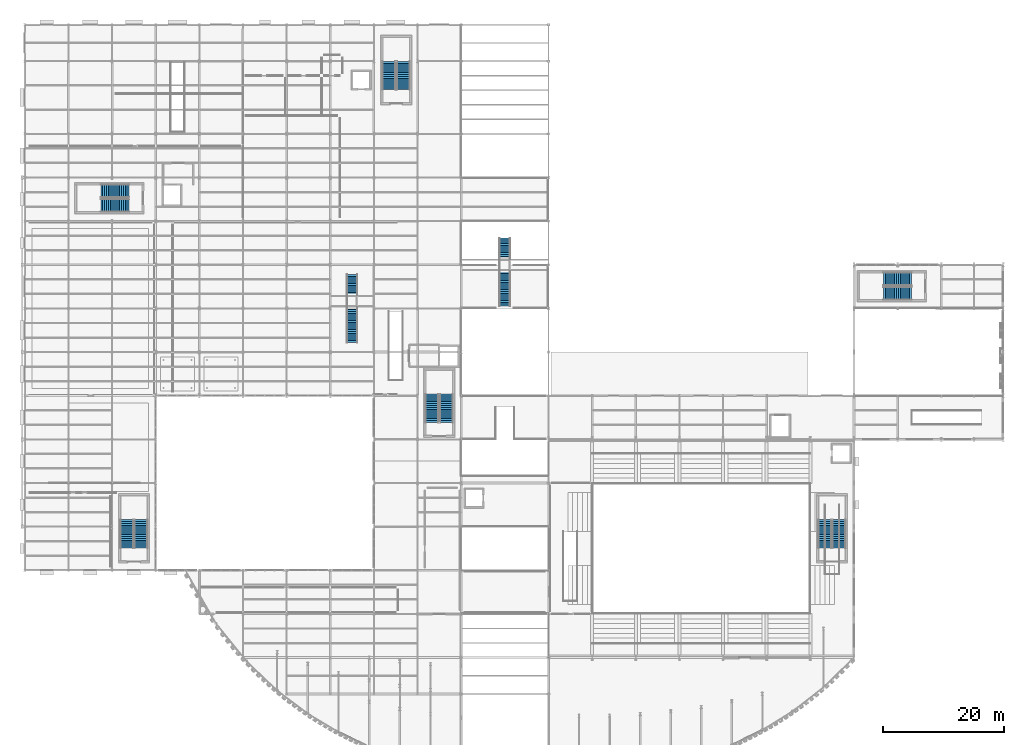
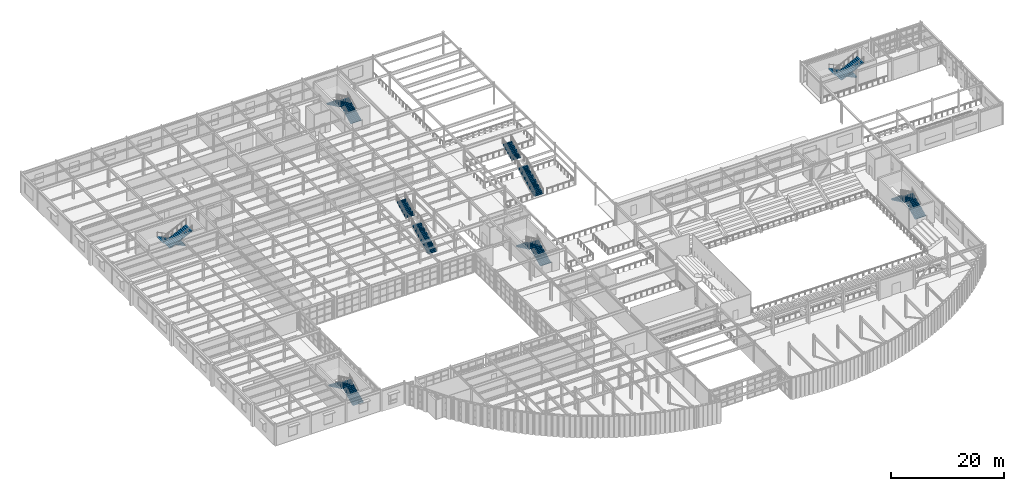
# One storey, part 100 of 121: 16 stair flights, 8 elements without a shape of their own.
"""IFC4 building model written with IfcOpenShell, lengths in metres."""

from ifc_helpers import new_model, si_unit, direction, frame, origin, place, context, subcontext, project, spatial, polyline, outline, extrude, material, type_object, element, aggregate, save


model = new_model("IFC4")

# Units and contexts
model_context = context("Model", 3, precision=1e-05, world=origin(), true_north=direction((0.0, 1.0)))
body_context = subcontext(model_context, "Body", "Model", "MODEL_VIEW")
ifc_project = project(units=[si_unit("LENGTHUNIT", "METRE"), si_unit("AREAUNIT", "SQUARE_METRE"), si_unit("VOLUMEUNIT", "CUBIC_METRE"), si_unit("PLANEANGLEUNIT", "RADIAN"), si_unit("MASSUNIT", "GRAM", prefix="KILO")], contexts=[model_context])

# Site, building, storey
site_placement = place(None, origin())
site = spatial("IfcSite", under=ifc_project, at=site_placement, CompositionType="ELEMENT")
building_placement = place(site_placement, origin())
building = spatial("IfcBuilding", under=site, at=building_placement, Name="Solvadek Multi-Sports Hall", CompositionType="ELEMENT")
storey_placement = place(building_placement, frame((0.0, 0.0, 4.800048828125)))
storey = spatial("IfcBuildingStorey", under=building, at=storey_placement, Name="L01", CompositionType="ELEMENT", Elevation=4.800048828125)

# Stair, stair flights
ifc_material_1 = material(Name="Concrete M35", Category="concrete")
stair_type_1 = type_object("IfcStairType", Name="INT-STR-DOG220", PredefinedType="USERDEFINED", material=ifc_material_1)
stair_1_placement = place(storey_placement, origin())
stair_1 = element("IfcStair", 1, at=stair_1_placement, inside=storey, type_object=stair_type_1, Name="L01 Exit Stair Core ST-01 (SW Crescent)", ObjectType="TWO_RUN_STAIR", PredefinedType="USERDEFINED")
stair_flight_type_1 = type_object("IfcStairFlightType", Name="INT-FLT-RC220", PredefinedType="STRAIGHT", material=ifc_material_1)
stair_flight_1_placement = place(storey_placement, frame((19.199951171875, 24.10009765625, 0.0), z_axis=(0.0, 0.0, 1.0), x_axis=(0.0, 1.0, 0.0)))
stair_flight_1 = element("IfcStairFlight", 2, at=stair_flight_1_placement, type_object=stair_flight_type_1, Name="ST-01 flight 1", NumberOfRisers=16, NumberOfTreads=15, PredefinedType="STRAIGHT", RiserHeight=0.15, TreadLength=0.31, context=body_context, shape_type="SweptSolid", body=[
    extrude(outline(polyline([(0.0, 0.0), (0.0, 0.14990234375), (0.31005859375, 0.14990234375), (0.31005859375, 0.300048828125), (0.6201171875, 0.300048828125), (0.6201171875, 0.449951171875), (0.929931640625, 0.449951171875), (0.929931640625, 0.60009765625), (1.239990234375, 0.60009765625), (1.239990234375, 0.75), (1.550048828125, 0.75), (1.550048828125, 0.89990234375), (1.860107421875, 0.89990234375), (1.860107421875, 1.050048828125), (2.169921875, 1.050048828125), (2.169921875, 1.199951171875), (2.47998046875, 1.199951171875), (2.47998046875, 1.35009765625), (2.7900390625, 1.35009765625), (2.7900390625, 1.5), (3.10009765625, 1.5), (3.10009765625, 1.64990234375), (3.409912109375, 1.64990234375), (3.409912109375, 1.800048828125), (3.719970703125, 1.800048828125), (3.719970703125, 1.949951171875), (4.030029296875, 1.949951171875), (4.030029296875, 2.10009765625), (4.340087890625, 2.10009765625), (4.340087890625, 2.25), (4.64990234375, 2.25), (4.64990234375, 2.39990234375), (4.64990234375, 2.08349609375), (0.34423828125, 0.0), (0.0, 0.0)])), frame((0.0, 1.10009765625, 0.0), z_axis=(0.0, -1.0, 0.0), x_axis=(1.0, 0.0, 0.0)), (0.0, 0.0, 1.0), 2.199951171875),
])
stair_flight_2_placement = place(storey_placement, frame((16.85009765625, 28.75, 2.39990234375), z_axis=(0.0, 0.0, 1.0), x_axis=(0.0, -1.0, 0.0)))
stair_flight_2 = element("IfcStairFlight", 3, at=stair_flight_2_placement, type_object=stair_flight_type_1, Name="ST-01 flight 2", NumberOfRisers=16, NumberOfTreads=15, PredefinedType="STRAIGHT", RiserHeight=0.15, TreadLength=0.31, context=body_context, shape_type="SweptSolid", body=[
    extrude(outline(polyline([(0.0, 0.0), (0.0, 0.14990234375), (0.31005859375, 0.14990234375), (0.31005859375, 0.300048828125), (0.6201171875, 0.300048828125), (0.6201171875, 0.449951171875), (0.929931640625, 0.449951171875), (0.929931640625, 0.60009765625), (1.239990234375, 0.60009765625), (1.239990234375, 0.75), (1.550048828125, 0.75), (1.550048828125, 0.89990234375), (1.860107421875, 0.89990234375), (1.860107421875, 1.050048828125), (2.169921875, 1.050048828125), (2.169921875, 1.199951171875), (2.47998046875, 1.199951171875), (2.47998046875, 1.35009765625), (2.7900390625, 1.35009765625), (2.7900390625, 1.5), (3.10009765625, 1.5), (3.10009765625, 1.64990234375), (3.409912109375, 1.64990234375), (3.409912109375, 1.800048828125), (3.719970703125, 1.800048828125), (3.719970703125, 1.949951171875), (4.030029296875, 1.949951171875), (4.030029296875, 2.10009765625), (4.340087890625, 2.10009765625), (4.340087890625, 2.25), (4.64990234375, 2.25), (4.64990234375, 2.39990234375), (4.64990234375, 2.08349609375), (0.34423828125, 0.0), (0.0, 0.0)])), frame((0.0, 1.10009765625, 0.0), z_axis=(0.0, -1.0, 0.0), x_axis=(1.0, 0.0, 0.0)), (0.0, 0.0, 1.0), 2.199951171875),
])
aggregate(stair_1, [stair_flight_1, stair_flight_2])

stair_2_placement = place(storey_placement, origin())
stair_2 = element("IfcStair", 4, at=stair_2_placement, inside=storey, type_object=stair_type_1, Name="L01 Exit Stair Core ST-02 (NW Track Headhouse)", ObjectType="TWO_RUN_STAIR", PredefinedType="USERDEFINED")
stair_flight_3_placement = place(storey_placement, frame((17.199951171875, 82.949951171875, 0.0), z_axis=(0.0, 0.0, 1.0), x_axis=(-1.0, 0.0, 0.0)))
stair_flight_3 = element("IfcStairFlight", 5, at=stair_flight_3_placement, type_object=stair_flight_type_1, Name="ST-02 flight 1", NumberOfRisers=16, NumberOfTreads=15, PredefinedType="STRAIGHT", RiserHeight=0.15, TreadLength=0.31, context=body_context, shape_type="SweptSolid", body=[
    extrude(outline(polyline([(0.0, 0.0), (0.0, 0.14990234375), (0.31005859375, 0.14990234375), (0.31005859375, 0.300048828125), (0.6201171875, 0.300048828125), (0.6201171875, 0.449951171875), (0.929931640625, 0.449951171875), (0.929931640625, 0.60009765625), (1.239990234375, 0.60009765625), (1.239990234375, 0.75), (1.550048828125, 0.75), (1.550048828125, 0.89990234375), (1.860107421875, 0.89990234375), (1.860107421875, 1.050048828125), (2.169921875, 1.050048828125), (2.169921875, 1.199951171875), (2.47998046875, 1.199951171875), (2.47998046875, 1.35009765625), (2.7900390625, 1.35009765625), (2.7900390625, 1.5), (3.10009765625, 1.5), (3.10009765625, 1.64990234375), (3.409912109375, 1.64990234375), (3.409912109375, 1.800048828125), (3.719970703125, 1.800048828125), (3.719970703125, 1.949951171875), (4.030029296875, 1.949951171875), (4.030029296875, 2.10009765625), (4.340087890625, 2.10009765625), (4.340087890625, 2.25), (4.64990234375, 2.25), (4.64990234375, 2.39990234375), (4.64990234375, 2.08349609375), (0.34423828125, 0.0), (0.0, 0.0)])), frame((0.0, 1.10009765625, 0.0), z_axis=(0.0, -1.0, 0.0), x_axis=(1.0, 0.0, 0.0)), (0.0, 0.0, 1.0), 2.199951171875),
])
stair_flight_4_placement = place(storey_placement, frame((12.550048828125, 80.60009765625, 2.39990234375), z_axis=(0.0, 0.0, 1.0), x_axis=(1.0, 0.0, 0.0)))
stair_flight_4 = element("IfcStairFlight", 6, at=stair_flight_4_placement, type_object=stair_flight_type_1, Name="ST-02 flight 2", NumberOfRisers=16, NumberOfTreads=15, PredefinedType="STRAIGHT", RiserHeight=0.15, TreadLength=0.31, context=body_context, shape_type="SweptSolid", body=[
    extrude(outline(polyline([(0.0, 0.0), (0.0, 0.14990234375), (0.31005859375, 0.14990234375), (0.31005859375, 0.300048828125), (0.6201171875, 0.300048828125), (0.6201171875, 0.449951171875), (0.929931640625, 0.449951171875), (0.929931640625, 0.60009765625), (1.239990234375, 0.60009765625), (1.239990234375, 0.75), (1.550048828125, 0.75), (1.550048828125, 0.89990234375), (1.860107421875, 0.89990234375), (1.860107421875, 1.050048828125), (2.169921875, 1.050048828125), (2.169921875, 1.199951171875), (2.47998046875, 1.199951171875), (2.47998046875, 1.35009765625), (2.7900390625, 1.35009765625), (2.7900390625, 1.5), (3.10009765625, 1.5), (3.10009765625, 1.64990234375), (3.409912109375, 1.64990234375), (3.409912109375, 1.800048828125), (3.719970703125, 1.800048828125), (3.719970703125, 1.949951171875), (4.030029296875, 1.949951171875), (4.030029296875, 2.10009765625), (4.340087890625, 2.10009765625), (4.340087890625, 2.25), (4.64990234375, 2.25), (4.64990234375, 2.39990234375), (4.64990234375, 2.08349609375), (0.34423828125, 0.0), (0.0, 0.0)])), frame((0.0, 1.10009765625, 0.0), z_axis=(0.0, -1.0, 0.0), x_axis=(1.0, 0.0, 0.0)), (0.0, 0.0, 1.0), 2.199951171875),
])
aggregate(stair_2, [stair_flight_3, stair_flight_4])

stair_3_placement = place(storey_placement, origin())
stair_3 = element("IfcStair", 7, at=stair_3_placement, inside=storey, type_object=stair_type_1, Name="L01 Exit Stair Core ST-03 (North Avenue Podium)", ObjectType="TWO_RUN_STAIR", PredefinedType="USERDEFINED")
stair_flight_5_placement = place(storey_placement, frame((62.449951171875, 99.699951171875, 0.0), z_axis=(0.0, 0.0, 1.0), x_axis=(0.0, 1.0, 0.0)))
stair_flight_5 = element("IfcStairFlight", 8, at=stair_flight_5_placement, type_object=stair_flight_type_1, Name="ST-03 flight 1", NumberOfRisers=16, NumberOfTreads=15, PredefinedType="STRAIGHT", RiserHeight=0.15, TreadLength=0.31, context=body_context, shape_type="SweptSolid", body=[
    extrude(outline(polyline([(0.0, 0.0), (0.0, 0.14990234375), (0.31005859375, 0.14990234375), (0.31005859375, 0.300048828125), (0.6201171875, 0.300048828125), (0.6201171875, 0.449951171875), (0.929931640625, 0.449951171875), (0.929931640625, 0.60009765625), (1.239990234375, 0.60009765625), (1.239990234375, 0.75), (1.550048828125, 0.75), (1.550048828125, 0.89990234375), (1.860107421875, 0.89990234375), (1.860107421875, 1.050048828125), (2.169921875, 1.050048828125), (2.169921875, 1.199951171875), (2.47998046875, 1.199951171875), (2.47998046875, 1.35009765625), (2.7900390625, 1.35009765625), (2.7900390625, 1.5), (3.10009765625, 1.5), (3.10009765625, 1.64990234375), (3.409912109375, 1.64990234375), (3.409912109375, 1.800048828125), (3.719970703125, 1.800048828125), (3.719970703125, 1.949951171875), (4.030029296875, 1.949951171875), (4.030029296875, 2.10009765625), (4.340087890625, 2.10009765625), (4.340087890625, 2.25), (4.64990234375, 2.25), (4.64990234375, 2.39990234375), (4.64990234375, 2.08349609375), (0.34423828125, 0.0), (0.0, 0.0)])), frame((0.0, 1.10009765625, 0.0), z_axis=(0.0, -1.0, 0.0), x_axis=(1.0, 0.0, 0.0)), (0.0, 0.0, 1.0), 2.199951171875),
])
stair_flight_6_placement = place(storey_placement, frame((60.10009765625, 104.35009765625, 2.39990234375), z_axis=(0.0, 0.0, 1.0), x_axis=(0.0, -1.0, 0.0)))
stair_flight_6 = element("IfcStairFlight", 9, at=stair_flight_6_placement, type_object=stair_flight_type_1, Name="ST-03 flight 2", NumberOfRisers=16, NumberOfTreads=15, PredefinedType="STRAIGHT", RiserHeight=0.15, TreadLength=0.31, context=body_context, shape_type="SweptSolid", body=[
    extrude(outline(polyline([(0.0, 0.0), (0.0, 0.14990234375), (0.31005859375, 0.14990234375), (0.31005859375, 0.300048828125), (0.6201171875, 0.300048828125), (0.6201171875, 0.449951171875), (0.929931640625, 0.449951171875), (0.929931640625, 0.60009765625), (1.239990234375, 0.60009765625), (1.239990234375, 0.75), (1.550048828125, 0.75), (1.550048828125, 0.89990234375), (1.860107421875, 0.89990234375), (1.860107421875, 1.050048828125), (2.169921875, 1.050048828125), (2.169921875, 1.199951171875), (2.47998046875, 1.199951171875), (2.47998046875, 1.35009765625), (2.7900390625, 1.35009765625), (2.7900390625, 1.5), (3.10009765625, 1.5), (3.10009765625, 1.64990234375), (3.409912109375, 1.64990234375), (3.409912109375, 1.800048828125), (3.719970703125, 1.800048828125), (3.719970703125, 1.949951171875), (4.030029296875, 1.949951171875), (4.030029296875, 2.10009765625), (4.340087890625, 2.10009765625), (4.340087890625, 2.25), (4.64990234375, 2.25), (4.64990234375, 2.39990234375), (4.64990234375, 2.08349609375), (0.34423828125, 0.0), (0.0, 0.0)])), frame((0.0, 1.10009765625, 0.0), z_axis=(0.0, -1.0, 0.0), x_axis=(1.0, 0.0, 0.0)), (0.0, 0.0, 1.0), 2.199951171875),
])
aggregate(stair_3, [stair_flight_5, stair_flight_6])

stair_4_placement = place(storey_placement, origin())
stair_4 = element("IfcStair", 10, at=stair_4_placement, inside=storey, type_object=stair_type_1, Name="L01 Exit Stair Core ST-04 (Central Passage West)", ObjectType="TWO_RUN_STAIR", PredefinedType="USERDEFINED")
stair_flight_7_placement = place(storey_placement, frame((69.550048828125, 44.800048828125, 0.0), z_axis=(0.0, 0.0, 1.0), x_axis=(0.0, 1.0, 0.0)))
stair_flight_7 = element("IfcStairFlight", 11, at=stair_flight_7_placement, type_object=stair_flight_type_1, Name="ST-04 flight 1", NumberOfRisers=16, NumberOfTreads=15, PredefinedType="STRAIGHT", RiserHeight=0.15, TreadLength=0.31, context=body_context, shape_type="SweptSolid", body=[
    extrude(outline(polyline([(0.0, 0.0), (0.0, 0.14990234375), (0.31005859375, 0.14990234375), (0.31005859375, 0.300048828125), (0.6201171875, 0.300048828125), (0.6201171875, 0.449951171875), (0.929931640625, 0.449951171875), (0.929931640625, 0.60009765625), (1.239990234375, 0.60009765625), (1.239990234375, 0.75), (1.550048828125, 0.75), (1.550048828125, 0.89990234375), (1.860107421875, 0.89990234375), (1.860107421875, 1.050048828125), (2.169921875, 1.050048828125), (2.169921875, 1.199951171875), (2.47998046875, 1.199951171875), (2.47998046875, 1.35009765625), (2.7900390625, 1.35009765625), (2.7900390625, 1.5), (3.10009765625, 1.5), (3.10009765625, 1.64990234375), (3.409912109375, 1.64990234375), (3.409912109375, 1.800048828125), (3.719970703125, 1.800048828125), (3.719970703125, 1.949951171875), (4.030029296875, 1.949951171875), (4.030029296875, 2.10009765625), (4.340087890625, 2.10009765625), (4.340087890625, 2.25), (4.64990234375, 2.25), (4.64990234375, 2.39990234375), (4.64990234375, 2.08349609375), (0.34423828125, 0.0), (0.0, 0.0)])), frame((0.0, 1.10009765625, 0.0), z_axis=(0.0, -1.0, 0.0), x_axis=(1.0, 0.0, 0.0)), (0.0, 0.0, 1.0), 2.199951171875),
])
stair_flight_8_placement = place(storey_placement, frame((67.199951171875, 49.449951171875, 2.39990234375), z_axis=(0.0, 0.0, 1.0), x_axis=(0.0, -1.0, 0.0)))
stair_flight_8 = element("IfcStairFlight", 12, at=stair_flight_8_placement, type_object=stair_flight_type_1, Name="ST-04 flight 2", NumberOfRisers=16, NumberOfTreads=15, PredefinedType="STRAIGHT", RiserHeight=0.15, TreadLength=0.31, context=body_context, shape_type="SweptSolid", body=[
    extrude(outline(polyline([(0.0, 0.0), (0.0, 0.14990234375), (0.31005859375, 0.14990234375), (0.31005859375, 0.300048828125), (0.6201171875, 0.300048828125), (0.6201171875, 0.449951171875), (0.929931640625, 0.449951171875), (0.929931640625, 0.60009765625), (1.239990234375, 0.60009765625), (1.239990234375, 0.75), (1.550048828125, 0.75), (1.550048828125, 0.89990234375), (1.860107421875, 0.89990234375), (1.860107421875, 1.050048828125), (2.169921875, 1.050048828125), (2.169921875, 1.199951171875), (2.47998046875, 1.199951171875), (2.47998046875, 1.35009765625), (2.7900390625, 1.35009765625), (2.7900390625, 1.5), (3.10009765625, 1.5), (3.10009765625, 1.64990234375), (3.409912109375, 1.64990234375), (3.409912109375, 1.800048828125), (3.719970703125, 1.800048828125), (3.719970703125, 1.949951171875), (4.030029296875, 1.949951171875), (4.030029296875, 2.10009765625), (4.340087890625, 2.10009765625), (4.340087890625, 2.25), (4.64990234375, 2.25), (4.64990234375, 2.39990234375), (4.64990234375, 2.08349609375), (0.34423828125, 0.0), (0.0, 0.0)])), frame((0.0, 1.10009765625, 0.0), z_axis=(0.0, -1.0, 0.0), x_axis=(1.0, 0.0, 0.0)), (0.0, 0.0, 1.0), 2.199951171875),
])
aggregate(stair_4, [stair_flight_7, stair_flight_8])

stair_5_placement = place(storey_placement, origin())
stair_5 = element("IfcStair", 13, at=stair_5_placement, inside=storey, type_object=stair_type_1, Name="L01 Exit Stair Core ST-05 (SE Competition Hall)", ObjectType="TWO_RUN_STAIR", PredefinedType="USERDEFINED")
stair_flight_9_placement = place(storey_placement, frame((134.35009765625, 24.10009765625, 0.0), z_axis=(0.0, 0.0, 1.0), x_axis=(0.0, 1.0, 0.0)))
stair_flight_9 = element("IfcStairFlight", 14, at=stair_flight_9_placement, type_object=stair_flight_type_1, Name="ST-05 flight 1", NumberOfRisers=16, NumberOfTreads=15, PredefinedType="STRAIGHT", RiserHeight=0.15, TreadLength=0.31, context=body_context, shape_type="SweptSolid", body=[
    extrude(outline(polyline([(0.0, 0.0), (0.0, 0.14990234375), (0.31005859375, 0.14990234375), (0.31005859375, 0.300048828125), (0.6201171875, 0.300048828125), (0.6201171875, 0.449951171875), (0.929931640625, 0.449951171875), (0.929931640625, 0.60009765625), (1.239990234375, 0.60009765625), (1.239990234375, 0.75), (1.550048828125, 0.75), (1.550048828125, 0.89990234375), (1.860107421875, 0.89990234375), (1.860107421875, 1.050048828125), (2.169921875, 1.050048828125), (2.169921875, 1.199951171875), (2.47998046875, 1.199951171875), (2.47998046875, 1.35009765625), (2.7900390625, 1.35009765625), (2.7900390625, 1.5), (3.10009765625, 1.5), (3.10009765625, 1.64990234375), (3.409912109375, 1.64990234375), (3.409912109375, 1.800048828125), (3.719970703125, 1.800048828125), (3.719970703125, 1.949951171875), (4.030029296875, 1.949951171875), (4.030029296875, 2.10009765625), (4.340087890625, 2.10009765625), (4.340087890625, 2.25), (4.64990234375, 2.25), (4.64990234375, 2.39990234375), (4.64990234375, 2.08349609375), (0.34423828125, 0.0), (0.0, 0.0)])), frame((0.0, 1.10009765625, 0.0), z_axis=(0.0, -1.0, 0.0), x_axis=(1.0, 0.0, 0.0)), (0.0, 0.0, 1.0), 2.199951171875),
])
stair_flight_10_placement = place(storey_placement, frame((132.0, 28.75, 2.39990234375), z_axis=(0.0, 0.0, 1.0), x_axis=(0.0, -1.0, 0.0)))
stair_flight_10 = element("IfcStairFlight", 15, at=stair_flight_10_placement, type_object=stair_flight_type_1, Name="ST-05 flight 2", NumberOfRisers=16, NumberOfTreads=15, PredefinedType="STRAIGHT", RiserHeight=0.15, TreadLength=0.31, context=body_context, shape_type="SweptSolid", body=[
    extrude(outline(polyline([(0.0, 0.0), (0.0, 0.14990234375), (0.31005859375, 0.14990234375), (0.31005859375, 0.300048828125), (0.6201171875, 0.300048828125), (0.6201171875, 0.449951171875), (0.929931640625, 0.449951171875), (0.929931640625, 0.60009765625), (1.239990234375, 0.60009765625), (1.239990234375, 0.75), (1.550048828125, 0.75), (1.550048828125, 0.89990234375), (1.860107421875, 0.89990234375), (1.860107421875, 1.050048828125), (2.169921875, 1.050048828125), (2.169921875, 1.199951171875), (2.47998046875, 1.199951171875), (2.47998046875, 1.35009765625), (2.7900390625, 1.35009765625), (2.7900390625, 1.5), (3.10009765625, 1.5), (3.10009765625, 1.64990234375), (3.409912109375, 1.64990234375), (3.409912109375, 1.800048828125), (3.719970703125, 1.800048828125), (3.719970703125, 1.949951171875), (4.030029296875, 1.949951171875), (4.030029296875, 2.10009765625), (4.340087890625, 2.10009765625), (4.340087890625, 2.25), (4.64990234375, 2.25), (4.64990234375, 2.39990234375), (4.64990234375, 2.08349609375), (0.34423828125, 0.0), (0.0, 0.0)])), frame((0.0, 1.10009765625, 0.0), z_axis=(0.0, -1.0, 0.0), x_axis=(1.0, 0.0, 0.0)), (0.0, 0.0, 1.0), 2.199951171875),
])
aggregate(stair_5, [stair_flight_9, stair_flight_10])

stair_6_placement = place(storey_placement, origin())
stair_6 = element("IfcStair", 16, at=stair_6_placement, inside=storey, type_object=stair_type_1, Name="L01 Exit Stair Core ST-06 (NE Climbing Pavilion)", ObjectType="TWO_RUN_STAIR", PredefinedType="USERDEFINED")
stair_flight_11_placement = place(storey_placement, frame((146.300048828125, 68.449951171875, 0.0), z_axis=(0.0, 0.0, 1.0), x_axis=(-1.0, 0.0, 0.0)))
stair_flight_11 = element("IfcStairFlight", 17, at=stair_flight_11_placement, type_object=stair_flight_type_1, Name="ST-06 flight 1", NumberOfRisers=16, NumberOfTreads=15, PredefinedType="STRAIGHT", RiserHeight=0.15, TreadLength=0.31, context=body_context, shape_type="SweptSolid", body=[
    extrude(outline(polyline([(0.0, 0.0), (0.0, 0.14990234375), (0.31005859375, 0.14990234375), (0.31005859375, 0.300048828125), (0.6201171875, 0.300048828125), (0.6201171875, 0.449951171875), (0.929931640625, 0.449951171875), (0.929931640625, 0.60009765625), (1.239990234375, 0.60009765625), (1.239990234375, 0.75), (1.550048828125, 0.75), (1.550048828125, 0.89990234375), (1.860107421875, 0.89990234375), (1.860107421875, 1.050048828125), (2.169921875, 1.050048828125), (2.169921875, 1.199951171875), (2.47998046875, 1.199951171875), (2.47998046875, 1.35009765625), (2.7900390625, 1.35009765625), (2.7900390625, 1.5), (3.10009765625, 1.5), (3.10009765625, 1.64990234375), (3.409912109375, 1.64990234375), (3.409912109375, 1.800048828125), (3.719970703125, 1.800048828125), (3.719970703125, 1.949951171875), (4.030029296875, 1.949951171875), (4.030029296875, 2.10009765625), (4.340087890625, 2.10009765625), (4.340087890625, 2.25), (4.64990234375, 2.25), (4.64990234375, 2.39990234375), (4.64990234375, 2.08349609375), (0.34423828125, 0.0), (0.0, 0.0)])), frame((0.0, 1.10009765625, 0.0), z_axis=(0.0, -1.0, 0.0), x_axis=(1.0, 0.0, 0.0)), (0.0, 0.0, 1.0), 2.199951171875),
])
stair_flight_12_placement = place(storey_placement, frame((141.64990234375, 66.10009765625, 2.39990234375), z_axis=(0.0, 0.0, 1.0), x_axis=(1.0, 0.0, 0.0)))
stair_flight_12 = element("IfcStairFlight", 18, at=stair_flight_12_placement, type_object=stair_flight_type_1, Name="ST-06 flight 2", NumberOfRisers=16, NumberOfTreads=15, PredefinedType="STRAIGHT", RiserHeight=0.15, TreadLength=0.31, context=body_context, shape_type="SweptSolid", body=[
    extrude(outline(polyline([(0.0, 0.0), (0.0, 0.14990234375), (0.31005859375, 0.14990234375), (0.31005859375, 0.300048828125), (0.6201171875, 0.300048828125), (0.6201171875, 0.449951171875), (0.929931640625, 0.449951171875), (0.929931640625, 0.60009765625), (1.239990234375, 0.60009765625), (1.239990234375, 0.75), (1.550048828125, 0.75), (1.550048828125, 0.89990234375), (1.860107421875, 0.89990234375), (1.860107421875, 1.050048828125), (2.169921875, 1.050048828125), (2.169921875, 1.199951171875), (2.47998046875, 1.199951171875), (2.47998046875, 1.35009765625), (2.7900390625, 1.35009765625), (2.7900390625, 1.5), (3.10009765625, 1.5), (3.10009765625, 1.64990234375), (3.409912109375, 1.64990234375), (3.409912109375, 1.800048828125), (3.719970703125, 1.800048828125), (3.719970703125, 1.949951171875), (4.030029296875, 1.949951171875), (4.030029296875, 2.10009765625), (4.340087890625, 2.10009765625), (4.340087890625, 2.25), (4.64990234375, 2.25), (4.64990234375, 2.39990234375), (4.64990234375, 2.08349609375), (0.34423828125, 0.0), (0.0, 0.0)])), frame((0.0, 1.10009765625, 0.0), z_axis=(0.0, -1.0, 0.0), x_axis=(1.0, 0.0, 0.0)), (0.0, 0.0, 1.0), 2.199951171875),
])
aggregate(stair_6, [stair_flight_11, stair_flight_12])

ifc_material_2 = material(Name="Steel E350 (350 MPa)", Category="steel")
stair_type_2 = type_object("IfcStairType", Name="INT-STR-MON260", PredefinedType="STRAIGHT_RUN_STAIR", material=ifc_material_2)
stair_7_placement = place(storey_placement, origin())
stair_7 = element("IfcStair", 19, at=stair_7_placement, inside=storey, type_object=stair_type_2, Name="L01 Monumental and Access Stair ST-08", PredefinedType="STRAIGHT_RUN_STAIR")
stair_flight_type_2 = type_object("IfcStairFlightType", Name="INT-FLT-STL260", PredefinedType="STRAIGHT", material=ifc_material_2)
stair_flight_13_placement = place(storey_placement, frame((79.199951171875, 64.0, 0.0), z_axis=(0.0, 0.0, 1.0), x_axis=(0.0, 1.0, 0.0)))
stair_flight_13 = element("IfcStairFlight", 20, at=stair_flight_13_placement, type_object=stair_flight_type_2, Name="ST-08 flight 1", NumberOfRisers=20, NumberOfTreads=19, PredefinedType="STRAIGHT", RiserHeight=0.15, TreadLength=0.3, context=body_context, shape_type="SweptSolid", body=[
    extrude(outline(polyline([(0.0, 0.0), (0.0, 0.14990234375), (0.300048828125, 0.14990234375), (0.300048828125, 0.300048828125), (0.60009765625, 0.300048828125), (0.60009765625, 0.449951171875), (0.89990234375, 0.449951171875), (0.89990234375, 0.60009765625), (1.199951171875, 0.60009765625), (1.199951171875, 0.75), (1.5, 0.75), (1.5, 0.89990234375), (1.800048828125, 0.89990234375), (1.800048828125, 1.050048828125), (2.10009765625, 1.050048828125), (2.10009765625, 1.199951171875), (2.39990234375, 1.199951171875), (2.39990234375, 1.35009765625), (2.699951171875, 1.35009765625), (2.699951171875, 1.5), (3.0, 1.5), (3.0, 1.64990234375), (3.300048828125, 1.64990234375), (3.300048828125, 1.800048828125), (3.60009765625, 1.800048828125), (3.60009765625, 1.949951171875), (3.89990234375, 1.949951171875), (3.89990234375, 2.10009765625), (4.199951171875, 2.10009765625), (4.199951171875, 2.25), (4.5, 2.25), (4.5, 2.39990234375), (4.800048828125, 2.39990234375), (4.800048828125, 2.550048828125), (5.10009765625, 2.550048828125), (5.10009765625, 2.699951171875), (5.39990234375, 2.699951171875), (5.39990234375, 2.85009765625), (5.699951171875, 2.85009765625), (5.699951171875, 3.0), (5.699951171875, 2.64892578125), (0.40234375, 0.0), (0.0, 0.0)])), frame((0.0, 0.925048828125, 0.0), z_axis=(0.0, -1.0, 0.0), x_axis=(1.0, 0.0, 0.0)), (0.0, 0.0, 1.0), 1.85009765625),
])
stair_flight_14_placement = place(storey_placement, frame((79.199951171875, 71.89990234375, 3.0), z_axis=(0.0, 0.0, 1.0), x_axis=(0.0, 1.0, 0.0)))
stair_flight_14 = element("IfcStairFlight", 21, at=stair_flight_14_placement, type_object=stair_flight_type_2, Name="ST-08 flight 2", NumberOfRisers=12, NumberOfTreads=11, PredefinedType="STRAIGHT", RiserHeight=0.15, TreadLength=0.3, context=body_context, shape_type="SweptSolid", body=[
    extrude(outline(polyline([(0.0, 0.0), (0.0, 0.14990234375), (0.300048828125, 0.14990234375), (0.300048828125, 0.300048828125), (0.60009765625, 0.300048828125), (0.60009765625, 0.449951171875), (0.89990234375, 0.449951171875), (0.89990234375, 0.60009765625), (1.199951171875, 0.60009765625), (1.199951171875, 0.75), (1.5, 0.75), (1.5, 0.89990234375), (1.800048828125, 0.89990234375), (1.800048828125, 1.050048828125), (2.10009765625, 1.050048828125), (2.10009765625, 1.199951171875), (2.39990234375, 1.199951171875), (2.39990234375, 1.35009765625), (2.699951171875, 1.35009765625), (2.699951171875, 1.5), (3.0, 1.5), (3.0, 1.64990234375), (3.300048828125, 1.64990234375), (3.300048828125, 1.800048828125), (3.300048828125, 1.44873046875), (0.40234375, 0.0), (0.0, 0.0)])), frame((0.0, 0.925048828125, 0.0), z_axis=(0.0, -1.0, 0.0), x_axis=(1.0, 0.0, 0.0)), (0.0, 0.0, 1.0), 1.85009765625),
])
aggregate(stair_7, [stair_flight_13, stair_flight_14])

stair_type_3 = type_object("IfcStairType", Name="INT-STR-VOM180", PredefinedType="STRAIGHT_RUN_STAIR", material=ifc_material_1)
stair_8_placement = place(storey_placement, origin())
stair_8 = element("IfcStair", 22, at=stair_8_placement, inside=storey, type_object=stair_type_3, Name="L01 Monumental and Access Stair ST-13", PredefinedType="STRAIGHT_RUN_STAIR")
stair_flight_type_3 = type_object("IfcStairFlightType", Name="INT-FLT-VOM180", PredefinedType="STRAIGHT", material=ifc_material_1)
stair_flight_15_placement = place(storey_placement, frame((54.0, 58.0, 0.0), z_axis=(0.0, 0.0, 1.0), x_axis=(0.0, 1.0, 0.0)))
stair_flight_15 = element("IfcStairFlight", 23, at=stair_flight_15_placement, type_object=stair_flight_type_3, Name="ST-13 flight 1", NumberOfRisers=20, NumberOfTreads=19, PredefinedType="STRAIGHT", RiserHeight=0.15, TreadLength=0.3, context=body_context, shape_type="SweptSolid", body=[
    extrude(outline(polyline([(0.0, 0.0), (0.0, 0.14990234375), (0.300048828125, 0.14990234375), (0.300048828125, 0.300048828125), (0.60009765625, 0.300048828125), (0.60009765625, 0.449951171875), (0.89990234375, 0.449951171875), (0.89990234375, 0.60009765625), (1.199951171875, 0.60009765625), (1.199951171875, 0.75), (1.5, 0.75), (1.5, 0.89990234375), (1.800048828125, 0.89990234375), (1.800048828125, 1.050048828125), (2.10009765625, 1.050048828125), (2.10009765625, 1.199951171875), (2.39990234375, 1.199951171875), (2.39990234375, 1.35009765625), (2.699951171875, 1.35009765625), (2.699951171875, 1.5), (3.0, 1.5), (3.0, 1.64990234375), (3.300048828125, 1.64990234375), (3.300048828125, 1.800048828125), (3.60009765625, 1.800048828125), (3.60009765625, 1.949951171875), (3.89990234375, 1.949951171875), (3.89990234375, 2.10009765625), (4.199951171875, 2.10009765625), (4.199951171875, 2.25), (4.5, 2.25), (4.5, 2.39990234375), (4.800048828125, 2.39990234375), (4.800048828125, 2.550048828125), (5.10009765625, 2.550048828125), (5.10009765625, 2.699951171875), (5.39990234375, 2.699951171875), (5.39990234375, 2.85009765625), (5.699951171875, 2.85009765625), (5.699951171875, 3.0), (5.699951171875, 2.64892578125), (0.40234375, 0.0), (0.0, 0.0)])), frame((0.0, 0.89990234375, 0.0), z_axis=(0.0, -1.0, 0.0), x_axis=(1.0, 0.0, 0.0)), (0.0, 0.0, 1.0), 1.800048828125),
])
stair_flight_16_placement = place(storey_placement, frame((54.0, 65.89990234375, 3.0), z_axis=(0.0, 0.0, 1.0), x_axis=(0.0, 1.0, 0.0)))
stair_flight_16 = element("IfcStairFlight", 24, at=stair_flight_16_placement, type_object=stair_flight_type_3, Name="ST-13 flight 2", NumberOfRisers=12, NumberOfTreads=11, PredefinedType="STRAIGHT", RiserHeight=0.15, TreadLength=0.3, context=body_context, shape_type="SweptSolid", body=[
    extrude(outline(polyline([(0.0, 0.0), (0.0, 0.14990234375), (0.300048828125, 0.14990234375), (0.300048828125, 0.300048828125), (0.60009765625, 0.300048828125), (0.60009765625, 0.449951171875), (0.89990234375, 0.449951171875), (0.89990234375, 0.60009765625), (1.199951171875, 0.60009765625), (1.199951171875, 0.75), (1.5, 0.75), (1.5, 0.89990234375), (1.800048828125, 0.89990234375), (1.800048828125, 1.050048828125), (2.10009765625, 1.050048828125), (2.10009765625, 1.199951171875), (2.39990234375, 1.199951171875), (2.39990234375, 1.35009765625), (2.699951171875, 1.35009765625), (2.699951171875, 1.5), (3.0, 1.5), (3.0, 1.64990234375), (3.300048828125, 1.64990234375), (3.300048828125, 1.800048828125), (3.300048828125, 1.44873046875), (0.40234375, 0.0), (0.0, 0.0)])), frame((0.0, 0.89990234375, 0.0), z_axis=(0.0, -1.0, 0.0), x_axis=(1.0, 0.0, 0.0)), (0.0, 0.0, 1.0), 1.800048828125),
])
aggregate(stair_8, [stair_flight_15, stair_flight_16])

save(model, "model.ifc")
